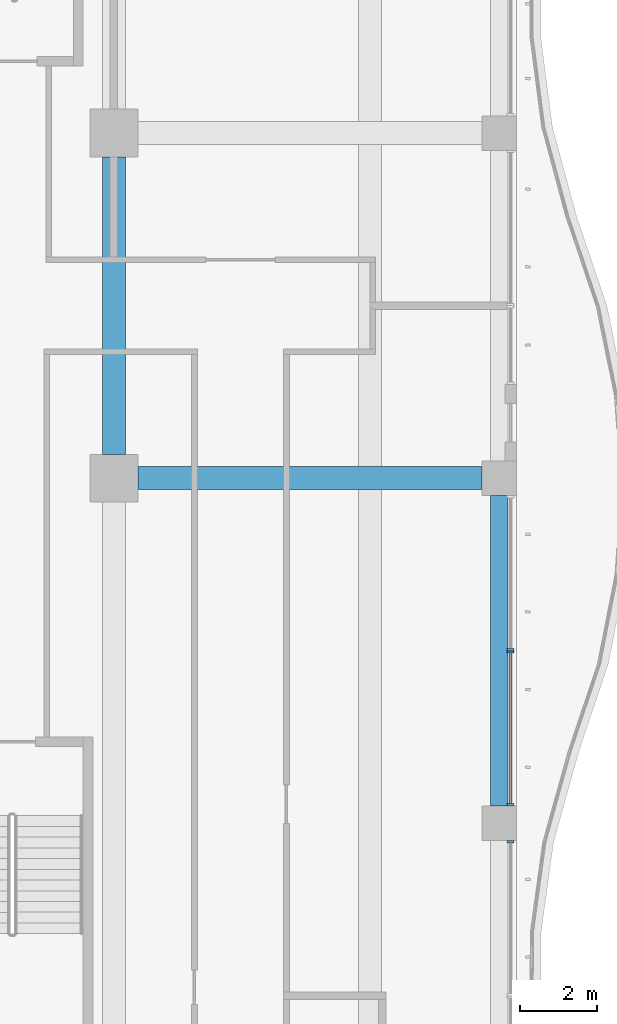
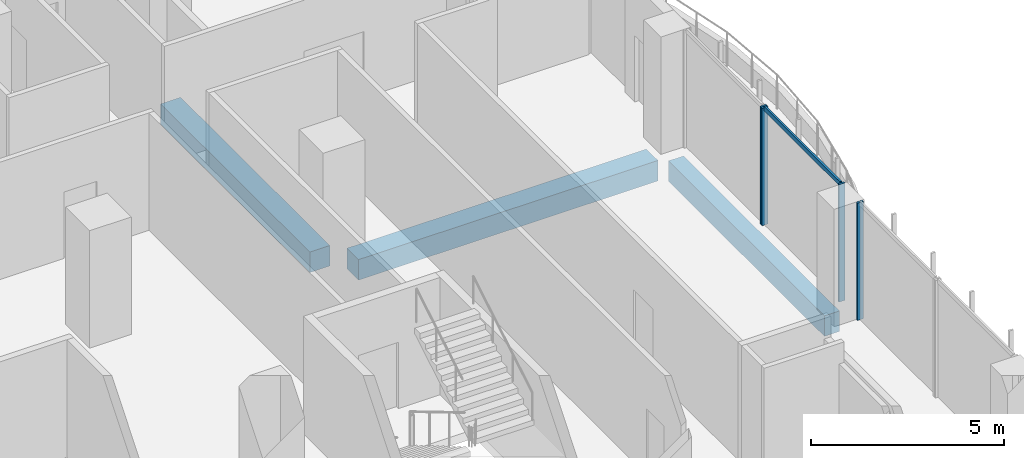
# One storey, part 5 of 26: 5 members, 3 beams, 3 elements without a shape of their own.
"""IFC4 building model written with IfcOpenShell, lengths in metres."""

from ifc_helpers import new_model, si_unit, direction, frame, origin, origin_2d, place, context, subcontext, project, spatial, rectangle, extrude, source, transform, mapped, material, material_profile, profile_set, type_object, element, aggregate, save


model = new_model("IFC4")

# Units and contexts
model_context = context("Model", 3, precision=1e-05, world=origin(), true_north=direction((0.0, 1.0)))
body_context = subcontext(model_context, "Body", "Model", "MODEL_VIEW")
ifc_project = project(units=[si_unit("LENGTHUNIT", "METRE"), si_unit("AREAUNIT", "SQUARE_METRE"), si_unit("VOLUMEUNIT", "CUBIC_METRE"), si_unit("PLANEANGLEUNIT", "RADIAN"), si_unit("MASSUNIT", "GRAM", prefix="KILO")], contexts=[model_context])

# Site, building, storey
site_placement = place(None, origin())
site = spatial("IfcSite", under=ifc_project, at=site_placement, CompositionType="ELEMENT")
building_placement = place(site_placement, origin())
building = spatial("IfcBuilding", under=site, at=building_placement, Name="Kilnfold Tower and Market Hall", CompositionType="ELEMENT")
storey_placement = place(building_placement, frame((0.0, 0.0, 83.199951171875)))
storey = spatial("IfcBuildingStorey", under=building, at=storey_placement, Name="L19", CompositionType="ELEMENT", Elevation=83.199951171875)

# Beams
ifc_material_1 = material(Name="Concrete C45", Category="concrete")
ifc_material_profile_1 = material_profile(ifc_material_1, rectangle(XDim=0.449951171875, YDim=0.64990234375, at=origin_2d()), Name="RC 450x650")
ifc_profile_set_1 = profile_set([ifc_material_profile_1], Name="Concrete C45")
beam_type_1 = type_object("IfcBeamType", Name="EDGE BEAM 450X650 C45", PredefinedType="BEAM", material=ifc_profile_set_1)
shared_shape_1 = source(origin(), body_context, "Body", "SweptSolid", [
    extrude(rectangle(XDim=0.449951171875, YDim=0.64990234375, at=origin_2d()), origin(), (0.0, 0.0, 1.0), 8.10009765625),
])
beam_1_placement = place(storey_placement, frame((32.550048828125, -9.550048828125, -0.60498046875), z_axis=(0.0, 1.0, 0.0), x_axis=(-1.0, 0.0, 0.0)))
element("IfcBeam", 1, at=beam_1_placement, inside=storey, type_object=beam_type_1, Name="Beam EB650-B2.101", PredefinedType="BEAM", context=body_context, shape_type="MappedRepresentation", body=[
    mapped(shared_shape_1, transform((0.0, 0.0, 0.0))),
])
ifc_material_2 = material(Name="Concrete C45", Category="concrete")
ifc_material_profile_2 = material_profile(ifc_material_2, rectangle(XDim=0.60009765625, YDim=0.64990234375, at=origin_2d()), Name="RC 600x650")
ifc_profile_set_2 = profile_set([ifc_material_profile_2], Name="Concrete C45")
beam_type_2 = type_object("IfcBeamType", Name="BEAM 600X650 C45", PredefinedType="BEAM", material=ifc_profile_set_2)
shared_shape_2 = source(origin(), body_context, "Body", "SweptSolid", [
    extrude(rectangle(XDim=0.60009765625, YDim=0.64990234375, at=origin_2d()), origin(), (0.0, 0.0, 1.0), 8.97509765625),
])
beam_2_placement = place(storey_placement, frame((23.125, -1.0, -0.60498046875), z_axis=(1.0, 0.0, 0.0), x_axis=(0.0, 1.0, 0.0)))
element("IfcBeam", 2, at=beam_2_placement, inside=storey, type_object=beam_type_2, Name="Beam BB650-B2.72", PredefinedType="BEAM", context=body_context, shape_type="MappedRepresentation", body=[
    mapped(shared_shape_2, transform((0.0, 0.0, 0.0))),
])
shared_shape_3 = source(origin(), body_context, "Body", "SweptSolid", [
    extrude(rectangle(XDim=0.60009765625, YDim=0.64990234375, at=origin_2d()), origin(), (0.0, 0.0, 1.0), 7.75),
])
beam_3_placement = place(storey_placement, frame((22.5, -0.375, -0.60498046875), z_axis=(0.0, 1.0, 0.0), x_axis=(-1.0, 0.0, 0.0)))
element("IfcBeam", 3, at=beam_3_placement, inside=storey, type_object=beam_type_2, Name="Beam BB650-B2.96", PredefinedType="BEAM", context=body_context, shape_type="MappedRepresentation", body=[
    mapped(shared_shape_3, transform((0.0, 0.0, 0.0))),
])

# Curtain wall, member
ifc_material_3 = material(Name="Aluminium and double glazing", Category="aluminium")
curtain_wall_type = type_object("IfcCurtainWallType", Name="CW OF1 VALLEY GLAZING", PredefinedType="NOTDEFINED", material=ifc_material_3)
curtain_wall_1_placement = place(storey_placement, origin())
curtain_wall_1 = element("IfcCurtainWall", 4, at=curtain_wall_1_placement, inside=storey, type_object=curtain_wall_type, Name="Curtain wall CW1 L19 E", PredefinedType="NOTDEFINED")
ifc_material_4 = material(Name="Aluminium", Category="aluminium")
ifc_material_profile_3 = material_profile(ifc_material_4, rectangle(XDim=0.06005859375, YDim=0.179931640625, at=origin_2d()), Name="MULLION 60x180")
ifc_profile_set_3 = profile_set([ifc_material_profile_3], Name="Aluminium")
member_type_1 = type_object("IfcMemberType", Name="MULLION 60X180", PredefinedType="MULLION", material=ifc_profile_set_3)
shared_shape_4 = source(origin(), body_context, "Body", "SweptSolid", [
    extrude(rectangle(XDim=0.06005859375, YDim=0.179931640625, at=origin_2d()), origin(), (0.0, 0.0, 1.0), 3.719970703125),
])
member_1_placement = place(storey_placement, frame((32.85009765625, -10.47998046875, 0.0), z_axis=(0.0, 0.0, 1.0), x_axis=(0.0, 1.0, 0.0)))
member_1 = element("IfcMember", 5, at=member_1_placement, type_object=member_type_1, Name="CW1 mullion 2", PredefinedType="MULLION", context=body_context, shape_type="MappedRepresentation", body=[
    mapped(shared_shape_4, transform((0.0, 0.0, 0.0))),
])
aggregate(curtain_wall_1, [member_1])

# Curtain wall, members
curtain_wall_2_placement = place(storey_placement, origin())
curtain_wall_2 = element("IfcCurtainWall", 6, at=curtain_wall_2_placement, inside=storey, type_object=curtain_wall_type, Name="Curtain wall CW1 L19 E", PredefinedType="NOTDEFINED")
member_2_placement = place(storey_placement, frame((32.85009765625, -9.52001953125, 0.0), z_axis=(0.0, 0.0, 1.0), x_axis=(0.0, 1.0, 0.0)))
member_2 = element("IfcMember", 7, at=member_2_placement, type_object=member_type_1, Name="CW1 mullion 1", PredefinedType="MULLION", context=body_context, shape_type="MappedRepresentation", body=[
    mapped(shared_shape_4, transform((0.0, 0.0, 0.0))),
])
member_3_placement = place(storey_placement, frame((32.85009765625, -5.530029296875, 0.0), z_axis=(0.0, 0.0, 1.0), x_axis=(0.0, 1.0, 0.0)))
member_3 = element("IfcMember", 8, at=member_3_placement, type_object=member_type_1, Name="CW1 mullion 2", PredefinedType="MULLION", context=body_context, shape_type="MappedRepresentation", body=[
    mapped(shared_shape_4, transform((0.0, 0.0, 0.0))),
])

# Curtain wall, member
curtain_wall_3_placement = place(storey_placement, origin())
curtain_wall_3 = element("IfcCurtainWall", 9, at=curtain_wall_3_placement, inside=storey, type_object=curtain_wall_type, Name="Curtain wall CW1 L19 E", PredefinedType="NOTDEFINED")
member_4_placement = place(storey_placement, frame((32.85009765625, -5.469970703125, 0.0), z_axis=(0.0, 0.0, 1.0), x_axis=(0.0, 1.0, 0.0)))
member_4 = element("IfcMember", 10, at=member_4_placement, type_object=member_type_1, Name="CW1 mullion 1", PredefinedType="MULLION", context=body_context, shape_type="MappedRepresentation", body=[
    mapped(shared_shape_4, transform((0.0, 0.0, 0.0))),
])
aggregate(curtain_wall_3, [member_4])

# Member
ifc_material_5 = material(Name="Aluminium", Category="aluminium")
ifc_material_profile_4 = material_profile(ifc_material_5, rectangle(XDim=0.06005859375, YDim=0.139892578125, at=origin_2d()), Name="TRANSOM 60x140")
ifc_profile_set_4 = profile_set([ifc_material_profile_4], Name="Aluminium")
member_type_2 = type_object("IfcMemberType", Name="TRANSOM 60X140", PredefinedType="USERDEFINED", material=ifc_profile_set_4)
shared_shape_5 = source(origin(), body_context, "Body", "SweptSolid", [
    extrude(rectangle(XDim=0.06005859375, YDim=0.139892578125, at=origin_2d()), origin(), (0.0, 0.0, 1.0), 3.929931640625),
])
member_5_placement = place(storey_placement, frame((32.85009765625, -9.489990234375, 3.68994140625), z_axis=(0.0, 1.0, 0.0), x_axis=(-1.0, 0.0, 0.0)))
member_5 = element("IfcMember", 11, at=member_5_placement, type_object=member_type_2, Name="CW1 transom 1.2", ObjectType="TRANSOM", PredefinedType="USERDEFINED", context=body_context, shape_type="MappedRepresentation", body=[
    mapped(shared_shape_5, transform((0.0, 0.0, 0.0))),
])

aggregate(curtain_wall_2, [member_2, member_3, member_5])

save(model, "model.ifc")
